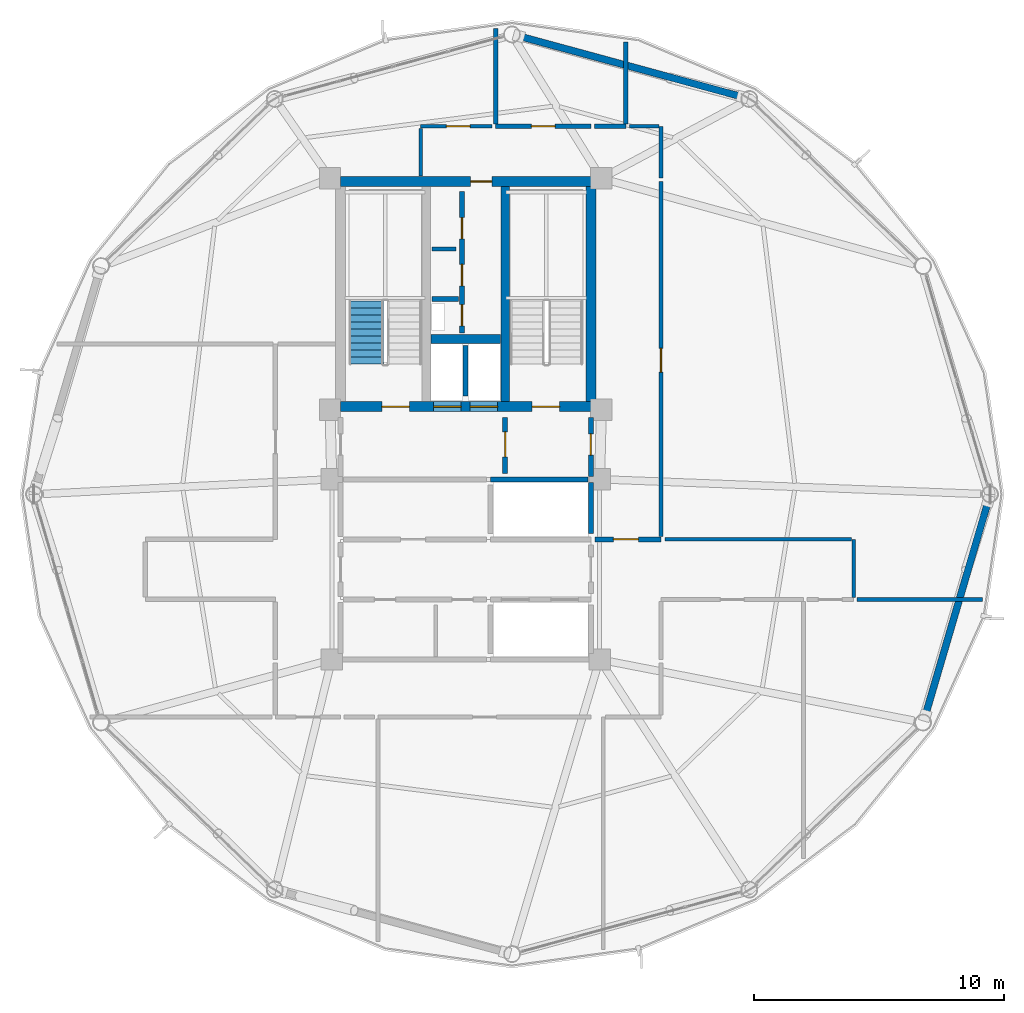
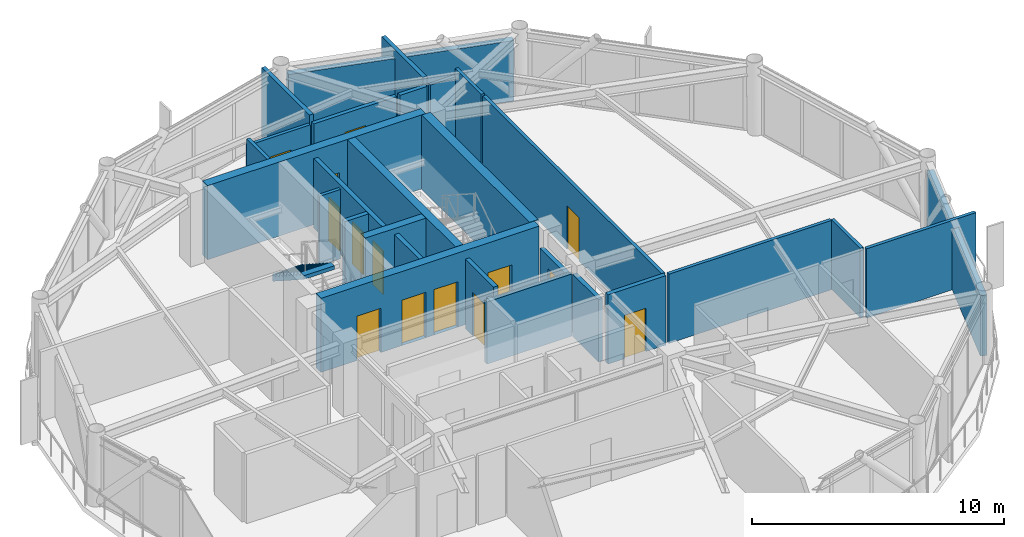
# One storey, part 24 of 28: 28 walls, 14 doors, 1 stair flight, 14 openings, 1 element without a shape of its own.
"""IFC4 building model written with IfcOpenShell, lengths in metres."""

from ifc_helpers import new_model, si_unit, direction, frame, frame_2d, origin, place, context, subcontext, project, spatial, polyline, rectangle, outline, extrude, material, layer, layer_set, type_object, element, fill, aggregate, save


model = new_model("IFC4")

# Units and contexts
model_context = context("Model", 3, precision=1e-05, world=origin(), true_north=direction((0.0, 1.0)))
body_context = subcontext(model_context, "Body", "Model", "MODEL_VIEW")
ifc_project = project(units=[si_unit("LENGTHUNIT", "METRE"), si_unit("AREAUNIT", "SQUARE_METRE"), si_unit("VOLUMEUNIT", "CUBIC_METRE"), si_unit("PLANEANGLEUNIT", "RADIAN"), si_unit("MASSUNIT", "GRAM", prefix="KILO")], contexts=[model_context])

# Site, building, storey
site_placement = place(None, origin())
site = spatial("IfcSite", under=ifc_project, at=site_placement, CompositionType="ELEMENT")
building_placement = place(site_placement, origin())
building = spatial("IfcBuilding", under=site, at=building_placement, Name="Varnakorn Sky Granary", CompositionType="ELEMENT")
storey_placement = place(building_placement, frame((0.0, 0.0, 214.800048828125)))
storey = spatial("IfcBuildingStorey", under=building, at=storey_placement, Name="L54", CompositionType="ELEMENT", Elevation=214.800048828125)

# Walls
ifc_material_1 = material(Name="Concrete C50/60", Category="concrete")
ifc_layer_1 = layer(ifc_material_1, 0.35009765625, Name="Concrete C50/60")
ifc_layer_set_1 = layer_set([ifc_layer_1], Name="Concrete C50/60")
wall_type_1 = type_object("IfcWallType", Name="WT-CW-INT-350", PredefinedType="SHEAR", material=ifc_layer_set_1)
wall_1_placement = place(storey_placement, frame((4.580078125, 3.7099609375, 0.0), z_axis=(0.0, 0.0, 1.0), x_axis=(0.0, 1.0, 0.0)))
element("IfcWall", 1, at=wall_1_placement, inside=storey, type_object=wall_type_1, Name="Stair ST-2 Core Wall L54", PredefinedType="SHEAR", context=body_context, shape_type="SweptSolid", body=[
    extrude(rectangle(XDim=8.580078125, YDim=0.35009765625, at=frame_2d((4.2900390625, 0.0))), origin(), (0.0, 0.0, 1.0), 3.592041015625),
])
wall_2_placement = place(storey_placement, frame((1.610107421875, 6.199951171875, 0.0), z_axis=(0.0, 0.0, 1.0), x_axis=(1.0, 0.0, 0.0)))
element("IfcWall", 2, at=wall_2_placement, inside=storey, type_object=wall_type_1, Name="Core Lift Shaft Cross Wall L54", PredefinedType="SHEAR", context=body_context, shape_type="SweptSolid", body=[
    extrude(rectangle(XDim=2.77978515625, YDim=0.35009765625, at=frame_2d((1.389892578125, 0.0))), origin(), (0.0, 0.0, 1.0), 3.592041015625),
])

# Wall, openings, doors
ifc_layer_2 = layer(ifc_material_1, 0.39990234375, Name="Concrete C50/60")
ifc_layer_set_2 = layer_set([ifc_layer_2], Name="Concrete C50/60")
wall_type_2 = type_object("IfcWallType", Name="WT-CW-SHEAR-400", PredefinedType="SHEAR", material=ifc_layer_set_2)
wall_3_placement = place(storey_placement, frame((-2.0, 3.5, 0.0), z_axis=(0.0, 0.0, 1.0), x_axis=(1.0, 0.0, 0.0)))
wall_3 = element("IfcWall", 3, at=wall_3_placement, inside=storey, type_object=wall_type_2, Name="Core South Shear Wall L54", PredefinedType="SHEAR", context=body_context, shape_type="SweptSolid", body=[
    extrude(rectangle(XDim=10.0, YDim=0.39990234375, at=frame_2d((5.0, 0.0))), origin(), (0.0, 0.0, 1.0), 3.592041015625),
])
opening_1_placement = place(wall_3_placement, frame((1.64990234375, 0.0, 0.0)))
opening_1 = element("IfcOpeningElement", 4, at=opening_1_placement, cuts=wall_3, Name="Opening FD-90", PredefinedType="OPENING", context=body_context, shape_type="SweptSolid", body=[
    extrude(rectangle(XDim=1.10009765625, YDim=2.14990234375, at=frame_2d((0.550048828125, 1.074951171875))), frame((0.0, 0.2099609375, 0.0), z_axis=(0.0, -1.0, 0.0), x_axis=(1.0, 0.0, 0.0)), (0.0, 0.0, 1.0), 0.419921875),
])
opening_2_placement = place(wall_3_placement, frame((7.64990234375, 0.0, 0.0)))
opening_2 = element("IfcOpeningElement", 5, at=opening_2_placement, cuts=wall_3, Name="Opening FD-90", PredefinedType="OPENING", context=body_context, shape_type="SweptSolid", body=[
    extrude(rectangle(XDim=1.10009765625, YDim=2.14990234375, at=frame_2d((0.550048828125, 1.074951171875))), frame((0.0, 0.2099609375, 0.0), z_axis=(0.0, -1.0, 0.0), x_axis=(1.0, 0.0, 0.0)), (0.0, 0.0, 1.0), 0.419921875),
])
opening_3_placement = place(wall_3_placement, frame((3.719970703125, 0.0, 0.0)))
opening_3 = element("IfcOpeningElement", 6, at=opening_3_placement, cuts=wall_3, Name="Opening LD-01", PredefinedType="OPENING", context=body_context, shape_type="SweptSolid", body=[
    extrude(rectangle(XDim=1.10009765625, YDim=2.199951171875, at=frame_2d((0.550048828125, 1.10009765625))), frame((0.0, 0.2099609375, 0.0), z_axis=(0.0, -1.0, 0.0), x_axis=(1.0, 0.0, 0.0)), (0.0, 0.0, 1.0), 0.419921875),
])
opening_4_placement = place(wall_3_placement, frame((5.179931640625, 0.0, 0.0)))
opening_4 = element("IfcOpeningElement", 7, at=opening_4_placement, cuts=wall_3, Name="Opening LD-01", PredefinedType="OPENING", context=body_context, shape_type="SweptSolid", body=[
    extrude(rectangle(XDim=1.10009765625, YDim=2.199951171875, at=frame_2d((0.550048828125, 1.10009765625))), frame((0.0, 0.2099609375, 0.0), z_axis=(0.0, -1.0, 0.0), x_axis=(1.0, 0.0, 0.0)), (0.0, 0.0, 1.0), 0.419921875),
])
ifc_material_2 = material(Name="Brushed Bronze Stainless Steel", Category="steel")
door_type_1 = type_object("IfcDoorType", Name="DR-LD-1100", OperationType="DOUBLE_DOOR_SLIDING", PredefinedType="DOOR", material=ifc_material_2)
door_1_placement = place(opening_3_placement, origin())
door_1 = element("IfcDoor", 8, at=door_1_placement, inside=storey, type_object=door_type_1, Name="Firefighting Lift FFL-1 Landing Door L54", OperationType="DOUBLE_DOOR_SLIDING", OverallHeight=2.199951171875, OverallWidth=1.10009765625, PredefinedType="DOOR", context=body_context, shape_type="SweptSolid", body=[
    extrude(rectangle(XDim=1.10009765625, YDim=2.199951171875, at=frame_2d((0.550048828125, 1.10009765625))), frame((0.0, 0.02490234375, 0.0), z_axis=(0.0, -1.0, 0.0), x_axis=(1.0, 0.0, 0.0)), (0.0, 0.0, 1.0), 0.050048828125),
])
fill(opening_3, door_1)
door_2_placement = place(opening_4_placement, origin())
door_2 = element("IfcDoor", 9, at=door_2_placement, inside=storey, type_object=door_type_1, Name="Firefighting Lift FFL-2 Landing Door L54", OperationType="DOUBLE_DOOR_SLIDING", OverallHeight=2.199951171875, OverallWidth=1.10009765625, PredefinedType="DOOR", context=body_context, shape_type="SweptSolid", body=[
    extrude(rectangle(XDim=1.10009765625, YDim=2.199951171875, at=frame_2d((0.550048828125, 1.10009765625))), frame((0.0, 0.02490234375, 0.0), z_axis=(0.0, -1.0, 0.0), x_axis=(1.0, 0.0, 0.0)), (0.0, 0.0, 1.0), 0.050048828125),
])
fill(opening_4, door_2)
ifc_material_3 = material(Name="Galvanised Painted Steel Leaf", Category="steel")
door_type_2 = type_object("IfcDoorType", Name="DR-STAIR-1100", OperationType="NOTDEFINED", PredefinedType="DOOR", material=ifc_material_3)
door_3_placement = place(opening_1_placement, origin())
door_3 = element("IfcDoor", 10, at=door_3_placement, inside=storey, type_object=door_type_2, Name="Stair ST-1 Protected Fire Door L54", OperationType="SINGLE_SWING_LEFT", OverallHeight=2.14990234375, OverallWidth=1.10009765625, PredefinedType="DOOR", context=body_context, shape_type="SweptSolid", body=[
    extrude(rectangle(XDim=1.10009765625, YDim=2.14990234375, at=frame_2d((0.550048828125, 1.074951171875))), frame((0.0, 0.02490234375, 0.0), z_axis=(0.0, -1.0, 0.0), x_axis=(1.0, 0.0, 0.0)), (0.0, 0.0, 1.0), 0.050048828125),
])
fill(opening_1, door_3)
door_4_placement = place(opening_2_placement, origin())
door_4 = element("IfcDoor", 11, at=door_4_placement, inside=storey, type_object=door_type_2, Name="Stair ST-2 Protected Fire Door L54", OperationType="SINGLE_SWING_RIGHT", OverallHeight=2.14990234375, OverallWidth=1.10009765625, PredefinedType="DOOR", context=body_context, shape_type="SweptSolid", body=[
    extrude(rectangle(XDim=1.10009765625, YDim=2.14990234375, at=frame_2d((0.550048828125, 1.074951171875))), frame((0.0, 0.02490234375, 0.0), z_axis=(0.0, -1.0, 0.0), x_axis=(1.0, 0.0, 0.0)), (0.0, 0.0, 1.0), 0.050048828125),
])
fill(opening_2, door_4)

# Wall, opening, door
wall_4_placement = place(storey_placement, frame((-2.0, 12.5, 0.0), z_axis=(0.0, 0.0, 1.0), x_axis=(1.0, 0.0, 0.0)))
wall_4 = element("IfcWall", 12, at=wall_4_placement, inside=storey, type_object=wall_type_2, Name="Core North Shear Wall L54", PredefinedType="SHEAR", context=body_context, shape_type="SweptSolid", body=[
    extrude(rectangle(XDim=10.0, YDim=0.39990234375, at=frame_2d((5.0, 0.0))), origin(), (0.0, 0.0, 1.0), 3.592041015625),
])
opening_5_placement = place(wall_4_placement, frame((5.199951171875, 0.0, 0.0)))
opening_5 = element("IfcOpeningElement", 13, at=opening_5_placement, cuts=wall_4, Name="Opening FD-60N", PredefinedType="OPENING", context=body_context, shape_type="SweptSolid", body=[
    extrude(rectangle(XDim=0.85009765625, YDim=2.10009765625, at=frame_2d((0.425048828125, 1.050048828125))), frame((0.0, 0.2099609375, 0.0), z_axis=(0.0, -1.0, 0.0), x_axis=(1.0, 0.0, 0.0)), (0.0, 0.0, 1.0), 0.419921875),
])
ifc_material_4 = material(Name="Acoustic Timber Fire Leaf", Category="wood")
door_type_3 = type_object("IfcDoorType", Name="DR-FD60-850", OperationType="NOTDEFINED", PredefinedType="DOOR", material=ifc_material_4)
door_5_placement = place(opening_5_placement, origin())
door_5 = element("IfcDoor", 14, at=door_5_placement, inside=storey, type_object=door_type_3, Name="Core North Service Door L54", OperationType="SINGLE_SWING_RIGHT", OverallHeight=2.10009765625, OverallWidth=0.85009765625, PredefinedType="DOOR", context=body_context, shape_type="SweptSolid", body=[
    extrude(rectangle(XDim=0.85009765625, YDim=2.10009765625, at=frame_2d((0.425048828125, 1.050048828125))), frame((0.0, 0.02490234375, 0.0), z_axis=(0.0, -1.0, 0.0), x_axis=(1.0, 0.0, 0.0)), (0.0, 0.0, 1.0), 0.050048828125),
])
fill(opening_5, door_5)

# Walls
wall_5_placement = place(storey_placement, frame((8.0, 3.7099609375, 0.0), z_axis=(0.0, 0.0, 1.0), x_axis=(0.0, 1.0, 0.0)))
element("IfcWall", 15, at=wall_5_placement, inside=storey, type_object=wall_type_2, Name="Core East Shear Wall L54", PredefinedType="SHEAR", context=body_context, shape_type="SweptSolid", body=[
    extrude(rectangle(XDim=8.580078125, YDim=0.39990234375, at=frame_2d((4.2900390625, 0.0))), origin(), (0.0, 0.0, 1.0), 3.592041015625),
])
ifc_material_5 = material(Name="Precast concrete C40/50", Category="concrete")
ifc_layer_3 = layer(ifc_material_5, 0.280029296875, Name="Precast concrete C40/50")
ifc_layer_set_3 = layer_set([ifc_layer_3], Name="Precast concrete C40/50")
wall_type_3 = type_object("IfcWallType", Name="WT-EW-CRN-280", PredefinedType="SOLIDWALL", material=ifc_layer_set_3)
wall_6_placement = place(storey_placement, frame((5.125, 18.30224609375, 0.0), z_axis=(0.0, 0.0, 1.0), x_axis=(0.964966152644, -0.262374397097, 0.0)))
element("IfcWall", 16, at=wall_6_placement, inside=storey, type_object=wall_type_3, Name="Agritech Insulated Precast Facade Wall L54-P03", PredefinedType="SOLIDWALL", context=body_context, shape_type="SweptSolid", body=[
    extrude(rectangle(XDim=9.259521484375, YDim=0.280029296875, at=frame_2d((4.6298828125, 0.0))), origin(), (0.0, 0.0, 1.0), 2.929931640625),
])
wall_7_placement = place(storey_placement, frame((23.874755859375, -0.2734375, 0.0), z_axis=(0.0, 0.0, 1.0), x_axis=(-0.281584930997, -0.959536308138, 0.0)))
element("IfcWall", 17, at=wall_7_placement, inside=storey, type_object=wall_type_3, Name="Agritech Insulated Precast Facade Wall L54-P12", PredefinedType="SOLIDWALL", context=body_context, shape_type="SweptSolid", body=[
    extrude(rectangle(XDim=8.935546875, YDim=0.280029296875, at=frame_2d((4.4677734375, 0.0))), origin(), (0.0, 0.0, 1.0), 2.929931640625),
])

# Wall, openings, doors
ifc_material_6 = material(Name="Autoclaved Aerated Concrete Blockwork", Category="masonry")
ifc_layer_4 = layer(ifc_material_6, 0.199951171875, Name="Autoclaved Aerated Concrete Blockwork")
ifc_layer_set_4 = layer_set([ifc_layer_4], Name="Autoclaved Aerated Concrete Blockwork")
wall_type_4 = type_object("IfcWallType", Name="WT-FIRE-200", PredefinedType="MOVABLE", material=ifc_layer_set_4)
wall_8_placement = place(storey_placement, frame((2.85009765625, 6.449951171875, 0.0), z_axis=(0.0, 0.0, 1.0), x_axis=(0.0, 1.0, 0.0)))
wall_8 = element("IfcWall", 18, at=wall_8_placement, inside=storey, type_object=wall_type_4, Name="Interior Partition Wall L54-011", PredefinedType="MOVABLE", context=body_context, shape_type="SweptSolid", body=[
    extrude(rectangle(XDim=5.650146484375, YDim=0.199951171875, at=frame_2d((2.8251953125, 0.0))), origin(), (0.0, 0.0, 1.0), 3.35986328125),
])
opening_6_placement = place(wall_8_placement, frame((1.8798828125, 0.0, 0.0)))
opening_6 = element("IfcOpeningElement", 19, at=opening_6_placement, cuts=wall_8, Name="Opening RD-85", PredefinedType="OPENING", context=body_context, shape_type="SweptSolid", body=[
    extrude(rectangle(XDim=0.85009765625, YDim=2.050048828125, at=frame_2d((0.425048828125, 1.02490234375))), frame((0.0, 0.10986328125, 0.0), z_axis=(0.0, -1.0, 0.0), x_axis=(1.0, 0.0, 0.0)), (0.0, 0.0, 1.0), 0.219970703125),
])
opening_7_placement = place(wall_8_placement, frame((3.75, 0.0, 0.0)))
opening_7 = element("IfcOpeningElement", 20, at=opening_7_placement, cuts=wall_8, Name="Opening FD-60N", PredefinedType="OPENING", context=body_context, shape_type="SweptSolid", body=[
    extrude(rectangle(XDim=0.85009765625, YDim=2.10009765625, at=frame_2d((0.425048828125, 1.050048828125))), frame((0.0, 0.10986328125, 0.0), z_axis=(0.0, -1.0, 0.0), x_axis=(1.0, 0.0, 0.0)), (0.0, 0.0, 1.0), 0.219970703125),
])
opening_8_placement = place(wall_8_placement, frame((0.280029296875, 0.0, 0.0)))
opening_8 = element("IfcOpeningElement", 21, at=opening_8_placement, cuts=wall_8, Name="Opening FD-60N", PredefinedType="OPENING", context=body_context, shape_type="SweptSolid", body=[
    extrude(rectangle(XDim=0.85009765625, YDim=2.10009765625, at=frame_2d((0.425048828125, 1.050048828125))), frame((0.0, 0.10986328125, 0.0), z_axis=(0.0, -1.0, 0.0), x_axis=(1.0, 0.0, 0.0)), (0.0, 0.0, 1.0), 0.219970703125),
])
door_6_placement = place(opening_7_placement, origin())
door_6 = element("IfcDoor", 22, at=door_6_placement, inside=storey, type_object=door_type_3, Name="Interior Door L54-011-2", OperationType="SINGLE_SWING_LEFT", OverallHeight=2.10009765625, OverallWidth=0.85009765625, PredefinedType="DOOR", context=body_context, shape_type="SweptSolid", body=[
    extrude(rectangle(XDim=0.85009765625, YDim=2.10009765625, at=frame_2d((0.425048828125, 1.050048828125))), frame((0.0, 0.02490234375, 0.0), z_axis=(0.0, -1.0, 0.0), x_axis=(1.0, 0.0, 0.0)), (0.0, 0.0, 1.0), 0.050048828125),
])
fill(opening_7, door_6)
door_7_placement = place(opening_8_placement, origin())
door_7 = element("IfcDoor", 23, at=door_7_placement, inside=storey, type_object=door_type_3, Name="Interior Door L54-011-3", OperationType="SINGLE_SWING_RIGHT", OverallHeight=2.10009765625, OverallWidth=0.85009765625, PredefinedType="DOOR", context=body_context, shape_type="SweptSolid", body=[
    extrude(rectangle(XDim=0.85009765625, YDim=2.10009765625, at=frame_2d((0.425048828125, 1.050048828125))), frame((0.0, 0.02490234375, 0.0), z_axis=(0.0, -1.0, 0.0), x_axis=(1.0, 0.0, 0.0)), (0.0, 0.0, 1.0), 0.050048828125),
])
fill(opening_8, door_7)
door_type_4 = type_object("IfcDoorType", Name="DR-RIS-850", OperationType="NOTDEFINED", PredefinedType="DOOR", material=ifc_material_3)
door_8_placement = place(opening_6_placement, origin())
door_8 = element("IfcDoor", 24, at=door_8_placement, inside=storey, type_object=door_type_4, Name="MEP Riser Shaft Access Door L54-011-1", OperationType="SINGLE_SWING_RIGHT", OverallHeight=2.050048828125, OverallWidth=0.85009765625, PredefinedType="DOOR", context=body_context, shape_type="SweptSolid", body=[
    extrude(rectangle(XDim=0.85009765625, YDim=2.050048828125, at=frame_2d((0.425048828125, 1.02490234375))), frame((0.0, 0.02490234375, 0.0), z_axis=(0.0, -1.0, 0.0), x_axis=(1.0, 0.0, 0.0)), (0.0, 0.0, 1.0), 0.050048828125),
])
fill(opening_6, door_8)

# Wall, opening, door
wall_9_placement = place(storey_placement, frame((4.580078125, 0.830078125, 0.0), z_axis=(0.0, 0.0, 1.0), x_axis=(0.0, 1.0, 0.0)))
wall_9 = element("IfcWall", 25, at=wall_9_placement, inside=storey, type_object=wall_type_4, Name="Interior Partition Wall L54-012", PredefinedType="MOVABLE", context=body_context, shape_type="SweptSolid", body=[
    extrude(rectangle(XDim=2.239990234375, YDim=0.199951171875, at=frame_2d((1.1201171875, 0.0))), origin(), (0.0, 0.0, 1.0), 3.35986328125),
])
opening_9_placement = place(wall_9_placement, frame((0.659912109375, 0.0, 0.0)))
opening_9 = element("IfcOpeningElement", 26, at=opening_9_placement, cuts=wall_9, Name="Opening FD-60", PredefinedType="OPENING", context=body_context, shape_type="SweptSolid", body=[
    extrude(rectangle(XDim=1.0, YDim=2.10009765625, at=frame_2d((0.5, 1.050048828125))), frame((0.0, 0.10986328125, 0.0), z_axis=(0.0, -1.0, 0.0), x_axis=(1.0, 0.0, 0.0)), (0.0, 0.0, 1.0), 0.219970703125),
])
door_type_5 = type_object("IfcDoorType", Name="DR-FD60-1000", OperationType="NOTDEFINED", PredefinedType="DOOR", material=ifc_material_4)
door_9_placement = place(opening_9_placement, origin())
door_9 = element("IfcDoor", 27, at=door_9_placement, inside=storey, type_object=door_type_5, Name="Interior Door L54-012-1", OperationType="SINGLE_SWING_LEFT", OverallHeight=2.10009765625, OverallWidth=1.0, PredefinedType="DOOR", context=body_context, shape_type="SweptSolid", body=[
    extrude(rectangle(XDim=1.0, YDim=2.10009765625, at=frame_2d((0.5, 1.050048828125))), frame((0.0, 0.02490234375, 0.0), z_axis=(0.0, -1.0, 0.0), x_axis=(1.0, 0.0, 0.0)), (0.0, 0.0, 1.0), 0.050048828125),
])
fill(opening_9, door_9)

wall_10_placement = place(storey_placement, frame((8.0, 0.719970703125, 0.0), z_axis=(0.0, 0.0, 1.0), x_axis=(0.0, 1.0, 0.0)))
wall_10 = element("IfcWall", 28, at=wall_10_placement, inside=storey, type_object=wall_type_4, Name="Interior Partition Wall L54-014", PredefinedType="MOVABLE", context=body_context, shape_type="SweptSolid", body=[
    extrude(rectangle(XDim=2.35009765625, YDim=0.199951171875, at=frame_2d((1.175048828125, 0.0))), origin(), (0.0, 0.0, 1.0), 2.69189453125),
])
opening_10_placement = place(wall_10_placement, frame((0.844970703125, 0.0, 0.0)))
opening_10 = element("IfcOpeningElement", 29, at=opening_10_placement, cuts=wall_10, Name="Opening FD-60N", PredefinedType="OPENING", context=body_context, shape_type="SweptSolid", body=[
    extrude(rectangle(XDim=0.85009765625, YDim=2.10009765625, at=frame_2d((0.425048828125, 1.050048828125))), frame((0.0, 0.10986328125, 0.0), z_axis=(0.0, -1.0, 0.0), x_axis=(1.0, 0.0, 0.0)), (0.0, 0.0, 1.0), 0.219970703125),
])
door_10_placement = place(opening_10_placement, origin())
door_10 = element("IfcDoor", 30, at=door_10_placement, inside=storey, type_object=door_type_3, Name="Interior Door L54-014-1", OperationType="SINGLE_SWING_LEFT", OverallHeight=2.10009765625, OverallWidth=0.85009765625, PredefinedType="DOOR", context=body_context, shape_type="SweptSolid", body=[
    extrude(rectangle(XDim=0.85009765625, YDim=2.10009765625, at=frame_2d((0.425048828125, 1.050048828125))), frame((0.0, 0.02490234375, 0.0), z_axis=(0.0, -1.0, 0.0), x_axis=(1.0, 0.0, 0.0)), (0.0, 0.0, 1.0), 0.050048828125),
])
fill(opening_10, door_10)

wall_11_placement = place(storey_placement, frame((8.159912109375, -1.800048828125, 0.0), z_axis=(0.0, 0.0, 1.0), x_axis=(1.0, 0.0, 0.0)))
wall_11 = element("IfcWall", 31, at=wall_11_placement, inside=storey, type_object=wall_type_4, Name="Interior Partition Wall L54-019", PredefinedType="MOVABLE", context=body_context, shape_type="SweptSolid", body=[
    extrude(rectangle(XDim=2.64013671875, YDim=0.199951171875, at=frame_2d((1.320068359375, 0.0))), origin(), (0.0, 0.0, 1.0), 3.35986328125),
])
opening_11_placement = place(wall_11_placement, frame((0.739990234375, 0.0, 0.0)))
opening_11 = element("IfcOpeningElement", 32, at=opening_11_placement, cuts=wall_11, Name="Opening FD-60", PredefinedType="OPENING", context=body_context, shape_type="SweptSolid", body=[
    extrude(rectangle(XDim=1.0, YDim=2.10009765625, at=frame_2d((0.5, 1.050048828125))), frame((0.0, 0.10986328125, 0.0), z_axis=(0.0, -1.0, 0.0), x_axis=(1.0, 0.0, 0.0)), (0.0, 0.0, 1.0), 0.219970703125),
])
door_11_placement = place(opening_11_placement, origin())
door_11 = element("IfcDoor", 33, at=door_11_placement, inside=storey, type_object=door_type_5, Name="Interior Door L54-019-1", OperationType="SINGLE_SWING_LEFT", OverallHeight=2.10009765625, OverallWidth=1.0, PredefinedType="DOOR", context=body_context, shape_type="SweptSolid", body=[
    extrude(rectangle(XDim=1.0, YDim=2.10009765625, at=frame_2d((0.5, 1.050048828125))), frame((0.0, 0.02490234375, 0.0), z_axis=(0.0, -1.0, 0.0), x_axis=(1.0, 0.0, 0.0)), (0.0, 0.0, 1.0), 0.050048828125),
])
fill(opening_11, door_11)

ifc_material_7 = material(Name="Gypsum Plasterboard on Steel Stud", Category="steel")
ifc_layer_5 = layer(ifc_material_7, 0.14990234375, Name="Gypsum Plasterboard on Steel Stud")
ifc_layer_set_5 = layer_set([ifc_layer_5], Name="Gypsum Plasterboard on Steel Stud")
wall_type_5 = type_object("IfcWallType", Name="WT-PART-150", PredefinedType="PARTITIONING", material=ifc_layer_set_5)
wall_12_placement = place(storey_placement, frame((4.050048828125, 14.699951171875, 0.0), z_axis=(0.0, 0.0, 1.0), x_axis=(-1.0, 0.0, 0.0)))
wall_12 = element("IfcWall", 34, at=wall_12_placement, inside=storey, type_object=wall_type_5, Name="Interior Partition Wall L54-026", PredefinedType="PARTITIONING", context=body_context, shape_type="SweptSolid", body=[
    extrude(rectangle(XDim=2.85009765625, YDim=0.14990234375, at=frame_2d((1.425048828125, 0.0))), origin(), (0.0, 0.0, 1.0), 3.011962890625),
])
opening_12_placement = place(wall_12_placement, frame((0.875, 0.0, 0.0)))
opening_12 = element("IfcOpeningElement", 35, at=opening_12_placement, cuts=wall_12, Name="Opening ID-95", PredefinedType="OPENING", context=body_context, shape_type="SweptSolid", body=[
    extrude(rectangle(XDim=0.949951171875, YDim=2.10009765625, at=frame_2d((0.47509765625, 1.050048828125))), frame((0.0, 0.0849609375, 0.0), z_axis=(0.0, -1.0, 0.0), x_axis=(1.0, 0.0, 0.0)), (0.0, 0.0, 1.0), 0.169921875),
])
ifc_material_8 = material(Name="Solid-Core Teak Veneer Leaf", Category="timber")
door_type_6 = type_object("IfcDoorType", Name="DR-INT-950", OperationType="NOTDEFINED", PredefinedType="DOOR", material=ifc_material_8)
door_12_placement = place(opening_12_placement, origin())
door_12 = element("IfcDoor", 36, at=door_12_placement, inside=storey, type_object=door_type_6, Name="Interior Door L54-026-1", OperationType="SINGLE_SWING_RIGHT", OverallHeight=2.10009765625, OverallWidth=0.949951171875, PredefinedType="DOOR", context=body_context, shape_type="SweptSolid", body=[
    extrude(rectangle(XDim=0.949951171875, YDim=2.10009765625, at=frame_2d((0.47509765625, 1.050048828125))), frame((0.0, 0.02490234375, 0.0), z_axis=(0.0, -1.0, 0.0), x_axis=(1.0, 0.0, 0.0)), (0.0, 0.0, 1.0), 0.050048828125),
])
fill(opening_12, door_12)

wall_13_placement = place(storey_placement, frame((10.800048828125, -1.68994140625, 0.0), z_axis=(0.0, 0.0, 1.0), x_axis=(0.0, 1.0, 0.0)))
wall_13 = element("IfcWall", 37, at=wall_13_placement, inside=storey, type_object=wall_type_5, Name="Interior Partition Wall L54-027", PredefinedType="PARTITIONING", context=body_context, shape_type="SweptSolid", body=[
    extrude(rectangle(XDim=14.18994140625, YDim=0.14990234375, at=frame_2d((7.094970703125, 0.0))), origin(), (0.0, 0.0, 1.0), 3.35986328125),
])
opening_13_placement = place(wall_13_placement, frame((6.56494140625, 0.0, 0.0)))
opening_13 = element("IfcOpeningElement", 38, at=opening_13_placement, cuts=wall_13, Name="Opening ID-95", PredefinedType="OPENING", context=body_context, shape_type="SweptSolid", body=[
    extrude(rectangle(XDim=0.949951171875, YDim=2.10009765625, at=frame_2d((0.47509765625, 1.050048828125))), frame((0.0, 0.0849609375, 0.0), z_axis=(0.0, -1.0, 0.0), x_axis=(1.0, 0.0, 0.0)), (0.0, 0.0, 1.0), 0.169921875),
])
door_13_placement = place(opening_13_placement, origin())
door_13 = element("IfcDoor", 39, at=door_13_placement, inside=storey, type_object=door_type_6, Name="Interior Door L54-027-1", OperationType="SINGLE_SWING_LEFT", OverallHeight=2.10009765625, OverallWidth=0.949951171875, PredefinedType="DOOR", context=body_context, shape_type="SweptSolid", body=[
    extrude(rectangle(XDim=0.949951171875, YDim=2.10009765625, at=frame_2d((0.47509765625, 1.050048828125))), frame((0.0, 0.02490234375, 0.0), z_axis=(0.0, -1.0, 0.0), x_axis=(1.0, 0.0, 0.0)), (0.0, 0.0, 1.0), 0.050048828125),
])
fill(opening_13, door_13)

# Walls
wall_14_placement = place(storey_placement, frame((1.64990234375, 9.800048828125, 0.0), z_axis=(0.0, 0.0, 1.0), x_axis=(1.0, 0.0, 0.0)))
element("IfcWall", 40, at=wall_14_placement, inside=storey, type_object=wall_type_5, Name="Interior Partition Wall L54-028", PredefinedType="PARTITIONING", context=body_context, shape_type="SweptSolid", body=[
    extrude(rectangle(XDim=0.960205078125, YDim=0.14990234375, at=frame_2d((0.47998046875, 0.0))), origin(), (0.0, 0.0, 1.0), 3.35986328125),
])
wall_15_placement = place(storey_placement, frame((18.635009765625, -4.199951171875, 0.0), z_axis=(0.0, 0.0, 1.0), x_axis=(1.0, 0.0, 0.0)))
element("IfcWall", 41, at=wall_15_placement, inside=storey, type_object=wall_type_5, Name="Interior Partition Wall L54-043", PredefinedType="PARTITIONING", context=body_context, shape_type="SweptSolid", body=[
    extrude(rectangle(XDim=5.015869140625, YDim=0.14990234375, at=frame_2d((2.5078125, 0.0))), origin(), (0.0, 0.0, 1.0), 3.35986328125),
])
wall_16_placement = place(storey_placement, frame((1.199951171875, 14.614990234375, 0.0), z_axis=(0.0, 0.0, 1.0), x_axis=(0.0, -1.0, 0.0)))
element("IfcWall", 42, at=wall_16_placement, inside=storey, type_object=wall_type_5, Name="Interior Partition Wall L54-050", PredefinedType="PARTITIONING", context=body_context, shape_type="SweptSolid", body=[
    extrude(rectangle(XDim=1.905029296875, YDim=0.14990234375, at=frame_2d((0.95263671875, 0.0))), origin(), (0.0, 0.0, 1.0), 3.35986328125),
])
wall_17_placement = place(storey_placement, frame((10.800048828125, 12.635009765625, 0.0), z_axis=(0.0, 0.0, 1.0), x_axis=(0.0, 1.0, 0.0)))
element("IfcWall", 43, at=wall_17_placement, inside=storey, type_object=wall_type_5, Name="Interior Partition Wall L54-053", PredefinedType="PARTITIONING", context=body_context, shape_type="SweptSolid", body=[
    extrude(rectangle(XDim=2.06494140625, YDim=0.14990234375, at=frame_2d((1.032470703125, 0.0))), origin(), (0.0, 0.0, 1.0), 3.35986328125),
])
wall_18_placement = place(storey_placement, frame((10.715087890625, 14.699951171875, 0.0), z_axis=(0.0, 0.0, 1.0), x_axis=(-1.0, 0.0, 0.0)))
element("IfcWall", 44, at=wall_18_placement, inside=storey, type_object=wall_type_5, Name="Interior Partition Wall L54-054", PredefinedType="PARTITIONING", context=body_context, shape_type="SweptSolid", body=[
    extrude(rectangle(XDim=1.1650390625, YDim=0.14990234375, at=frame_2d((0.58251953125, 0.0))), origin(), (0.0, 0.0, 1.0), 3.011962890625),
])
wall_19_placement = place(storey_placement, frame((18.5, -4.114990234375, 0.0), z_axis=(0.0, 0.0, 1.0), x_axis=(0.0, 1.0, 0.0)))
element("IfcWall", 45, at=wall_19_placement, inside=storey, type_object=wall_type_5, Name="Interior Partition Wall L54-055", PredefinedType="PARTITIONING", context=body_context, shape_type="SweptSolid", body=[
    extrude(rectangle(XDim=2.31494140625, YDim=0.14990234375, at=frame_2d((1.157470703125, 0.0))), origin(), (0.0, 0.0, 1.0), 3.35986328125),
])
wall_20_placement = place(storey_placement, frame((18.4150390625, -1.800048828125, 0.0), z_axis=(0.0, 0.0, 1.0), x_axis=(-1.0, 0.0, 0.0)))
element("IfcWall", 46, at=wall_20_placement, inside=storey, type_object=wall_type_5, Name="Interior Partition Wall L54-056", PredefinedType="PARTITIONING", context=body_context, shape_type="SweptSolid", body=[
    extrude(rectangle(XDim=7.455078125, YDim=0.14990234375, at=frame_2d((3.7275390625, 0.0))), origin(), (0.0, 0.0, 1.0), 3.35986328125),
])

# Wall, opening, door
ifc_material_9 = material(Name="Moisture-Resistant Gypsum on Stud", Category="gypsum")
ifc_layer_6 = layer(ifc_material_9, 0.179931640625, Name="Moisture-Resistant Gypsum on Stud")
ifc_layer_set_6 = layer_set([ifc_layer_6], Name="Moisture-Resistant Gypsum on Stud")
wall_type_6 = type_object("IfcWallType", Name="WT-PLUMB-180", PredefinedType="PLUMBINGWALL", material=ifc_layer_set_6)
wall_21_placement = place(storey_placement, frame((8.0, 14.699951171875, 0.0), z_axis=(0.0, 0.0, 1.0), x_axis=(-1.0, 0.0, 0.0)))
wall_21 = element("IfcWall", 47, at=wall_21_placement, inside=storey, type_object=wall_type_6, Name="Interior Partition Wall L54-020", PredefinedType="PLUMBINGWALL", context=body_context, shape_type="SweptSolid", body=[
    extrude(rectangle(XDim=3.800048828125, YDim=0.179931640625, at=frame_2d((1.89990234375, 0.0))), origin(), (0.0, 0.0, 1.0), 3.011962890625),
])
opening_14_placement = place(wall_21_placement, frame((1.425048828125, 0.0, 0.0)))
opening_14 = element("IfcOpeningElement", 48, at=opening_14_placement, cuts=wall_21, Name="Opening ID-95", PredefinedType="OPENING", context=body_context, shape_type="SweptSolid", body=[
    extrude(rectangle(XDim=0.949951171875, YDim=2.10009765625, at=frame_2d((0.47509765625, 1.050048828125))), frame((0.0, 0.10009765625, 0.0), z_axis=(0.0, -1.0, 0.0), x_axis=(1.0, 0.0, 0.0)), (0.0, 0.0, 1.0), 0.199951171875),
])
door_14_placement = place(opening_14_placement, origin())
door_14 = element("IfcDoor", 49, at=door_14_placement, inside=storey, type_object=door_type_6, Name="Interior Door L54-020-1", OperationType="SINGLE_SWING_RIGHT", OverallHeight=2.10009765625, OverallWidth=0.949951171875, PredefinedType="DOOR", context=body_context, shape_type="SweptSolid", body=[
    extrude(rectangle(XDim=0.949951171875, YDim=2.10009765625, at=frame_2d((0.47509765625, 1.050048828125))), frame((0.0, 0.02490234375, 0.0), z_axis=(0.0, -1.0, 0.0), x_axis=(1.0, 0.0, 0.0)), (0.0, 0.0, 1.0), 0.050048828125),
])
fill(opening_14, door_14)

# Walls
wall_22_placement = place(storey_placement, frame((9.39990234375, 14.699951171875, 0.0), z_axis=(0.0, 0.0, 1.0), x_axis=(-1.0, 0.0, 0.0)))
element("IfcWall", 50, at=wall_22_placement, inside=storey, type_object=wall_type_6, Name="Interior Partition Wall L54-034", PredefinedType="PLUMBINGWALL", context=body_context, shape_type="SweptSolid", body=[
    extrude(rectangle(XDim=1.25, YDim=0.179931640625, at=frame_2d((0.625, 0.0))), origin(), (0.0, 0.0, 1.0), 3.011962890625),
])
wall_23_placement = place(storey_placement, frame((4.199951171875, 18.59912109375, 0.0), z_axis=(0.0, 0.0, 1.0), x_axis=(0.0, -1.0, 0.0)))
element("IfcWall", 51, at=wall_23_placement, inside=storey, type_object=wall_type_6, Name="Interior Partition Wall L54-052", PredefinedType="PLUMBINGWALL", context=body_context, shape_type="SweptSolid", body=[
    extrude(rectangle(XDim=3.799072265625, YDim=0.179931640625, at=frame_2d((1.8994140625, 0.0))), origin(), (0.0, 0.0, 1.0), 3.35986328125),
])
wall_24_placement = place(storey_placement, frame((9.39990234375, 14.800048828125, 0.0), z_axis=(0.0, 0.0, 1.0), x_axis=(0.0, 1.0, 0.0)))
element("IfcWall", 52, at=wall_24_placement, inside=storey, type_object=wall_type_6, Name="Interior Partition Wall L54-057", PredefinedType="PLUMBINGWALL", context=body_context, shape_type="SweptSolid", body=[
    extrude(rectangle(XDim=3.27001953125, YDim=0.179931640625, at=frame_2d((1.635009765625, 0.0))), origin(), (0.0, 0.0, 1.0), 3.35986328125),
])
ifc_layer_7 = layer(ifc_material_6, 0.199951171875, Name="Autoclaved Aerated Concrete Blockwork")
ifc_layer_set_7 = layer_set([ifc_layer_7], Name="Autoclaved Aerated Concrete Blockwork")
wall_type_7 = type_object("IfcWallType", Name="WT-SHAFT-200", PredefinedType="SOLIDWALL", material=ifc_layer_set_7)
wall_25_placement = place(storey_placement, frame((3.0, 3.919921875, 0.0), z_axis=(0.0, 0.0, 1.0), x_axis=(0.0, 1.0, 0.0)))
element("IfcWall", 53, at=wall_25_placement, inside=storey, type_object=wall_type_7, Name="Interior Partition Wall L54-001", PredefinedType="SOLIDWALL", context=body_context, shape_type="SweptSolid", body=[
    extrude(rectangle(XDim=2.030029296875, YDim=0.199951171875, at=frame_2d((1.01513671875, 0.0))), origin(), (0.0, 0.0, 1.0), 3.35986328125),
])
wall_26_placement = place(storey_placement, frame((1.64990234375, 7.800048828125, 0.0), z_axis=(0.0, 0.0, 1.0), x_axis=(1.0, 0.0, 0.0)))
element("IfcWall", 54, at=wall_26_placement, inside=storey, type_object=wall_type_7, Name="Interior Partition Wall L54-002", PredefinedType="SOLIDWALL", context=body_context, shape_type="SweptSolid", body=[
    extrude(rectangle(XDim=1.070068359375, YDim=0.199951171875, at=frame_2d((0.53515625, 0.0))), origin(), (0.0, 0.0, 1.0), 3.35986328125),
])
wall_27_placement = place(storey_placement, frame((4.0, 0.60009765625, 0.0), z_axis=(0.0, 0.0, 1.0), x_axis=(1.0, 0.0, 0.0)))
element("IfcWall", 55, at=wall_27_placement, inside=storey, type_object=wall_type_7, Name="Interior Partition Wall L54-003", PredefinedType="SOLIDWALL", context=body_context, shape_type="SweptSolid", body=[
    extrude(rectangle(XDim=3.8798828125, YDim=0.199951171875, at=frame_2d((1.93994140625, 0.0))), origin(), (0.0, 0.0, 1.0), 3.011962890625),
])
wall_28_placement = place(storey_placement, frame((8.0, -1.570068359375, 0.0), z_axis=(0.0, 0.0, 1.0), x_axis=(0.0, 1.0, 0.0)))
element("IfcWall", 56, at=wall_28_placement, inside=storey, type_object=wall_type_7, Name="Interior Partition Wall L54-006", PredefinedType="SOLIDWALL", context=body_context, shape_type="SweptSolid", body=[
    extrude(rectangle(XDim=2.050048828125, YDim=0.199951171875, at=frame_2d((1.02490234375, 0.0))), origin(), (0.0, 0.0, 1.0), 3.011962890625),
])

# Stair, stair flight
ifc_material_10 = material(Name="Concrete C40/50", Category="concrete")
stair_type = type_object("IfcStairType", Name="ST-MAIN-ASSEMBLY", PredefinedType="HALF_TURN_STAIR", material=ifc_material_10)
stair_placement = place(storey_placement, origin())
stair = element("IfcStair", 57, at=stair_placement, inside=storey, type_object=stair_type, Name="L54 Protected Exit Stair ST-1", PredefinedType="HALF_TURN_STAIR")
stair_flight_type = type_object("IfcStairFlightType", Name="ST-MAIN-FLIGHT", PredefinedType="STRAIGHT", material=ifc_material_10)
stair_flight_placement = place(storey_placement, frame((-0.97998046875, 7.719970703125, 1.800048828125), z_axis=(0.0, 0.0, 1.0), x_axis=(0.0, -1.0, 0.0)))
stair_flight = element("IfcStairFlight", 58, at=stair_flight_placement, type_object=stair_flight_type, Name="ST-1 flight 2", NumberOfRisers=10, NumberOfTreads=9, PredefinedType="STRAIGHT", RiserHeight=0.18, TreadLength=0.28, context=body_context, shape_type="SweptSolid", body=[
    extrude(outline(polyline([(0.0, -0.14990234375), (0.0, 0.0), (0.0, 0.179931640625), (0.280029296875, 0.179931640625), (0.280029296875, 0.360107421875), (0.56005859375, 0.360107421875), (0.56005859375, 0.5400390625), (0.840087890625, 0.5400390625), (0.840087890625, 0.719970703125), (1.1201171875, 0.719970703125), (1.1201171875, 0.89990234375), (1.39990234375, 0.89990234375), (1.39990234375, 1.080078125), (1.679931640625, 1.080078125), (1.679931640625, 1.260009765625), (1.9599609375, 1.260009765625), (1.9599609375, 1.43994140625), (2.239990234375, 1.43994140625), (2.239990234375, 1.6201171875), (2.52001953125, 1.6201171875), (2.52001953125, 1.800048828125), (2.52001953125, 1.44189453125), (0.050048828125, -0.14990234375), (0.0, -0.14990234375)])), frame((0.0, 0.68994140625, 0.0), z_axis=(0.0, -1.0, 0.0), x_axis=(1.0, 0.0, 0.0)), (0.0, 0.0, 1.0), 1.3798828125),
])
aggregate(stair, [stair_flight])

save(model, "model.ifc")
